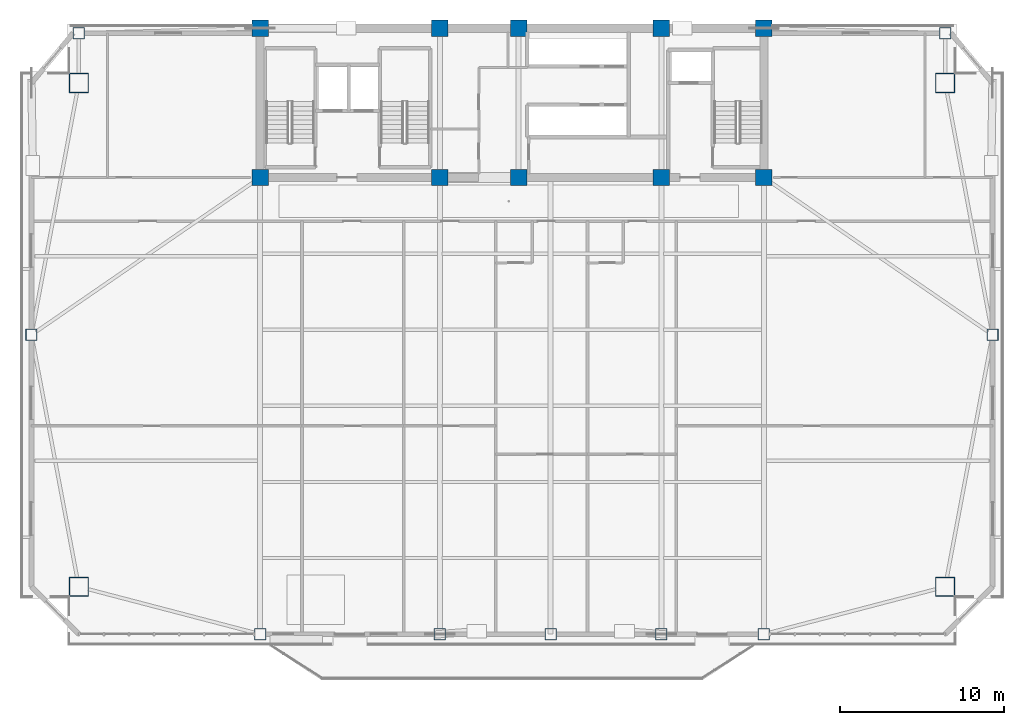
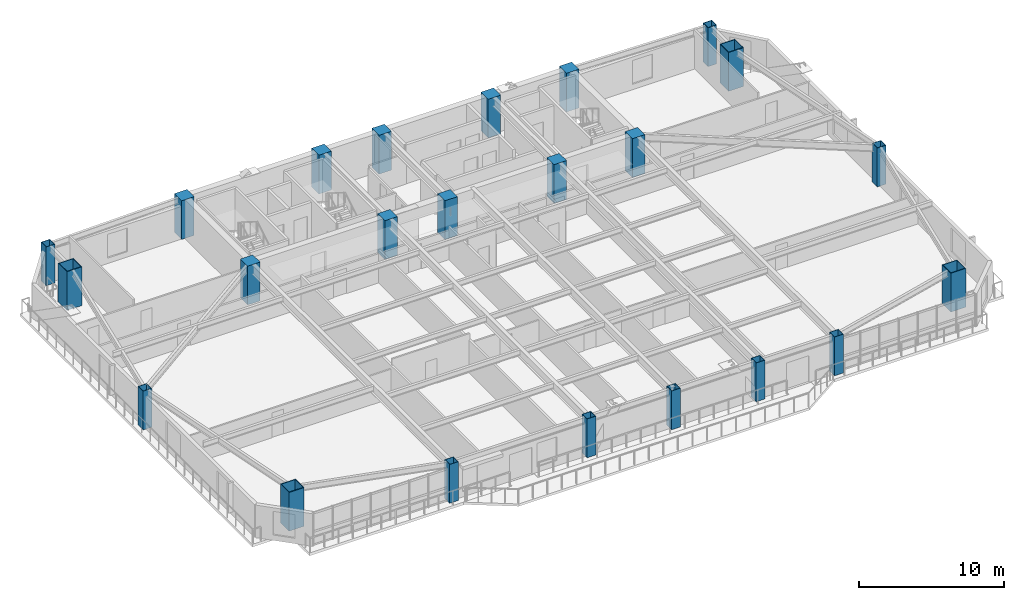
# One storey, part 1 of 15: 23 columns.
"""IFC4 building model written with IfcOpenShell, lengths in metres."""

from ifc_helpers import new_model, si_unit, direction, frame, origin, origin_2d, place, context, subcontext, project, spatial, rectangle, hollow_rectangle, extrude, source, transform, mapped, material, material_profile, profile_set, type_object, element, save


model = new_model("IFC4")

# Units and contexts
model_context = context("Model", 3, precision=1e-05, world=origin(), true_north=direction((0.0, 1.0)))
body_context = subcontext(model_context, "Body", "Model", "MODEL_VIEW")
ifc_project = project(units=[si_unit("LENGTHUNIT", "METRE"), si_unit("AREAUNIT", "SQUARE_METRE"), si_unit("VOLUMEUNIT", "CUBIC_METRE"), si_unit("PLANEANGLEUNIT", "RADIAN"), si_unit("MASSUNIT", "GRAM", prefix="KILO")], contexts=[model_context])

# Site, building, storey
site_placement = place(None, origin())
site = spatial("IfcSite", under=ifc_project, at=site_placement, CompositionType="ELEMENT")
building_placement = place(site_placement, origin())
building = spatial("IfcBuilding", under=site, at=building_placement, Name="Giltprow Tower", CompositionType="ELEMENT")
storey_placement = place(building_placement, frame((0.0, 0.0, 170.199951171875)))
storey = spatial("IfcBuildingStorey", under=building, at=storey_placement, Name="L42", CompositionType="ELEMENT", Elevation=170.199951171875)

# Columns
ifc_material_1 = material(Name="Concrete C50", Category="concrete")
ifc_material_profile_1 = material_profile(ifc_material_1, rectangle(XDim=1.0, YDim=1.0, at=origin_2d()), Name="RC 1000x1000")
ifc_profile_set_1 = profile_set([ifc_material_profile_1], Name="Concrete C50")
column_type_1 = type_object("IfcColumnType", Name="PIL-RC-1000-C50", PredefinedType="PILASTER", material=ifc_profile_set_1)
shared_shape_1 = source(origin(), body_context, "Body", "SweptSolid", [
    extrude(rectangle(XDim=1.0, YDim=1.0, at=origin_2d()), origin(), (0.0, 0.0, 1.0), 3.27001953125),
])
for number, where, z_axis, x_axis, name in (
    (1, (19.85009765625, 37.449951171875, 0.0), (0.0, 0.0, 1.0), (1.0, 0.0, 0.0), "L42 Core Boundary Pilaster 1-1"),
    (2, (19.85009765625, 46.550048828125, 0.0), (0.0, 0.0, 1.0), (1.0, 0.0, 0.0), "L42 Core Boundary Pilaster 1-2"),
    (3, (30.800048828125, 37.449951171875, 0.0), (0.0, 0.0, 1.0), (1.0, 0.0, 0.0), "L42 Core Boundary Pilaster 2-1"),
    (4, (30.800048828125, 46.550048828125, 0.0), (0.0, 0.0, 1.0), (1.0, 0.0, 0.0), "L42 Core Boundary Pilaster 2-2"),
    (5, (35.60009765625, 37.449951171875, 0.0), (0.0, 0.0, 1.0), (1.0, 0.0, 0.0), "L42 Core Boundary Pilaster 3-1"),
    (6, (35.60009765625, 46.550048828125, 0.0), (0.0, 0.0, 1.0), (1.0, 0.0, 0.0), "L42 Core Boundary Pilaster 3-2"),
    (7, (44.300048828125, 37.449951171875, 0.0), (0.0, 0.0, 1.0), (1.0, 0.0, 0.0), "L42 Core Boundary Pilaster 4-1"),
    (8, (44.300048828125, 46.550048828125, 0.0), (0.0, 0.0, 1.0), (1.0, 0.0, 0.0), "L42 Core Boundary Pilaster 4-2"),
    (9, (50.550048828125, 37.449951171875, 0.0), (0.0, 0.0, 1.0), (1.0, 0.0, 0.0), "L42 Core Boundary Pilaster 5-1"),
    (10, (50.550048828125, 46.550048828125, 0.0), (0.0, 0.0, 1.0), (1.0, 0.0, 0.0), "L42 Core Boundary Pilaster 5-2"),
):
    element("IfcColumn", number, at=place(storey_placement, frame(where, z_axis=z_axis, x_axis=x_axis)), inside=storey, type_object=column_type_1, Name=name, PredefinedType="PILASTER", context=body_context, shape_type="MappedRepresentation", body=[
        mapped(shared_shape_1, transform((0.0, 0.0, 0.0), x_axis=(1.0, 0.0, 0.0), y_axis=(0.0, 1.0, 0.0), z_axis=(0.0, 0.0, 1.0), scale=1.0)),
    ])
ifc_material_2 = material(Name="Structural steel Q420GJC", Category="steel")
ifc_material_profile_2 = material_profile(ifc_material_2, hollow_rectangle(XDim=1.199951171875, YDim=1.199951171875, WallThickness=0.054931640625, at=origin_2d()), Name="BOX 1200x1200x55")
ifc_profile_set_2 = profile_set([ifc_material_profile_2], Name="Structural steel Q420GJC")
column_type_2 = type_object("IfcColumnType", Name="COL-BOX-1200x1200x55", PredefinedType="COLUMN", material=ifc_profile_set_2)
shared_shape_2 = source(origin(), body_context, "Body", "SweptSolid", [
    extrude(hollow_rectangle(XDim=1.199951171875, YDim=1.199951171875, WallThickness=0.054931640625, at=origin_2d()), origin(), (0.0, 0.0, 1.0), 3.27001953125),
])
for number, where, z_axis, x_axis, name in (
    (11, (8.805908203125, 12.512939453125, 0.0), (0.0, 0.0, 1.0), (1.0, 0.0, 0.0), "L42 Mega-Column MC_SW"),
    (12, (61.593994140625, 12.512939453125, 0.0), (0.0, 0.0, 1.0), (1.0, 0.0, 0.0), "L42 Mega-Column MC_SE"),
    (13, (8.805908203125, 43.212890625, 0.0), (0.0, 0.0, 1.0), (1.0, 0.0, 0.0), "L42 Mega-Column MC_NW"),
    (14, (61.593994140625, 43.212890625, 0.0), (0.0, 0.0, 1.0), (1.0, 0.0, 0.0), "L42 Mega-Column MC_NE"),
):
    element("IfcColumn", number, at=place(storey_placement, frame(where, z_axis=z_axis, x_axis=x_axis)), inside=storey, type_object=column_type_2, Name=name, PredefinedType="COLUMN", context=body_context, shape_type="MappedRepresentation", body=[
        mapped(shared_shape_2, transform((0.0, 0.0, 0.0), x_axis=(1.0, 0.0, 0.0), y_axis=(0.0, 1.0, 0.0), z_axis=(0.0, 0.0, 1.0), scale=1.0)),
    ])
ifc_material_profile_3 = material_profile(ifc_material_2, hollow_rectangle(XDim=0.699951171875, YDim=0.699951171875, WallThickness=0.031982421875, at=origin_2d()), Name="BOX 700x700x32")
ifc_profile_set_3 = profile_set([ifc_material_profile_3], Name="Structural steel Q420GJC")
column_type_3 = type_object("IfcColumnType", Name="COL-BOX-700x700x32", PredefinedType="COLUMN", material=ifc_profile_set_3)
shared_shape_3 = source(origin(), body_context, "Body", "SweptSolid", [
    extrude(hollow_rectangle(XDim=0.699951171875, YDim=0.699951171875, WallThickness=0.031982421875, at=origin_2d()), origin(), (0.0, 0.0, 1.0), 3.27001953125),
])
for number, where, z_axis, x_axis, name in (
    (15, (19.85009765625, 9.6259765625, 0.0), (0.0, 0.0, 1.0), (1.0, 0.0, 0.0), "L42 Perimeter Column S1"),
    (16, (30.800048828125, 9.6259765625, 0.0), (0.0, 0.0, 1.0), (1.0, 0.0, 0.0), "L42 Perimeter Column S2"),
    (17, (37.550048828125, 9.6259765625, 0.0), (0.0, 0.0, 1.0), (1.0, 0.0, 0.0), "L42 Perimeter Column S_MID"),
    (18, (44.300048828125, 9.6259765625, 0.0), (0.0, 0.0, 1.0), (1.0, 0.0, 0.0), "L42 Perimeter Column S3"),
    (19, (50.550048828125, 9.6259765625, 0.0), (0.0, 0.0, 1.0), (1.0, 0.0, 0.0), "L42 Perimeter Column S4"),
    (20, (5.9189453125, 27.863037109375, 0.0), (0.0, 0.0, 1.0), (1.0, 0.0, 0.0), "L42 Perimeter Column W_MID"),
    (21, (64.48095703125, 27.863037109375, 0.0), (0.0, 0.0, 1.0), (1.0, 0.0, 0.0), "L42 Perimeter Column E_MID"),
    (22, (8.805908203125, 46.25, 0.0), (0.0, 0.0, 1.0), (1.0, 0.0, 0.0), "L42 Perimeter Column N_W"),
    (23, (61.593994140625, 46.25, 0.0), (0.0, 0.0, 1.0), (1.0, 0.0, 0.0), "L42 Perimeter Column N_E"),
):
    element("IfcColumn", number, at=place(storey_placement, frame(where, z_axis=z_axis, x_axis=x_axis)), inside=storey, type_object=column_type_3, Name=name, PredefinedType="COLUMN", context=body_context, shape_type="MappedRepresentation", body=[
        mapped(shared_shape_3, transform((0.0, 0.0, 0.0), x_axis=(1.0, 0.0, 0.0), y_axis=(0.0, 1.0, 0.0), z_axis=(0.0, 0.0, 1.0), scale=1.0)),
    ])

save(model, "model.ifc")
